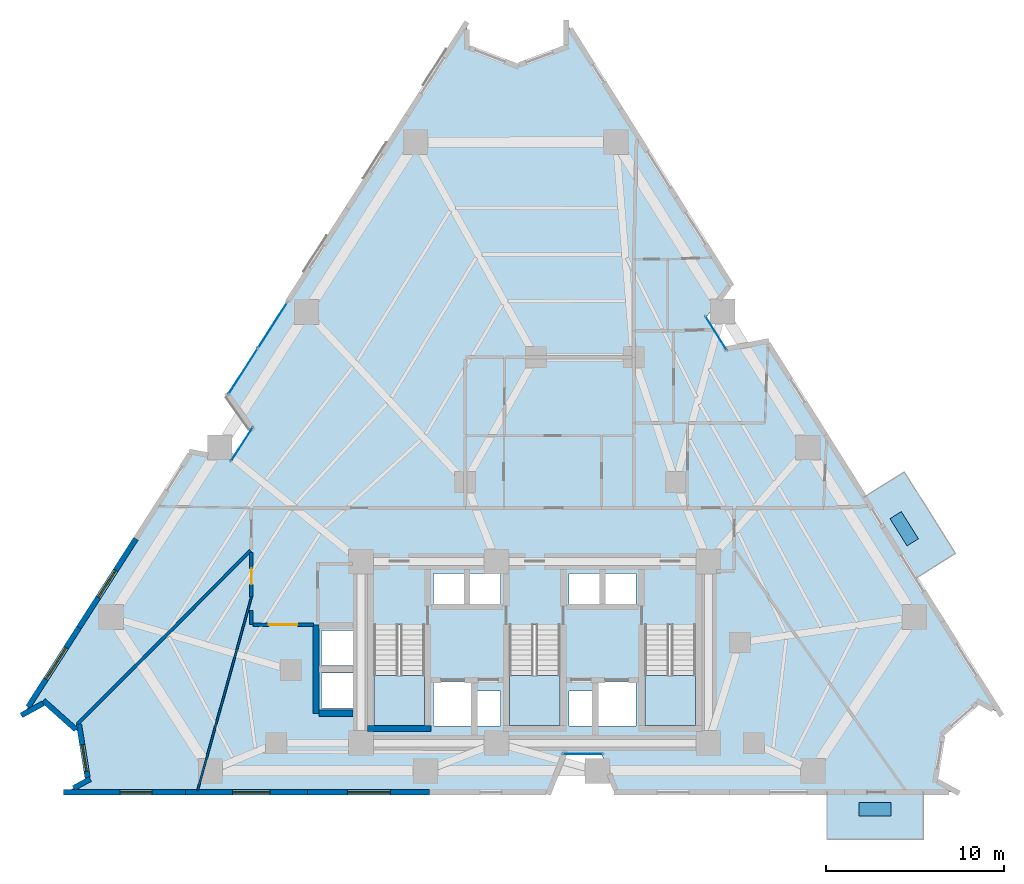
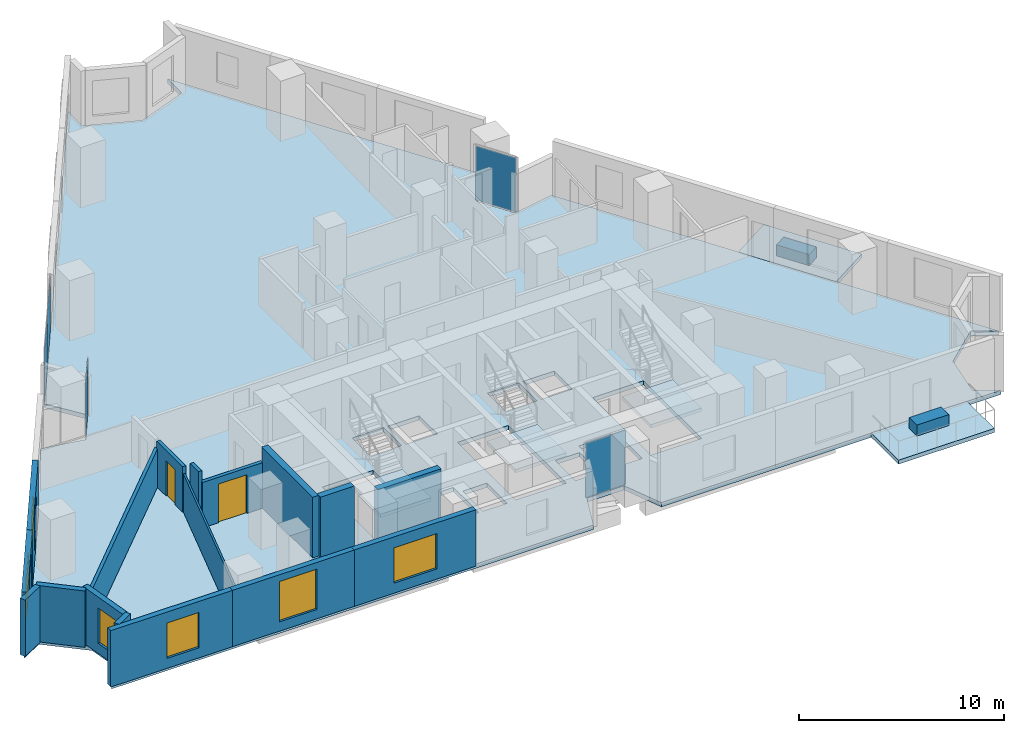
# One storey, part 6 of 13: 17 walls, 7 plates, 6 slabs, 6 windows, 2 doors, 8 openings, 7 elements without a shape of their own.
"""IFC4 building model written with IfcOpenShell, lengths in metres."""

from ifc_helpers import new_model, si_unit, direction, frame, frame_2d, origin, origin_2d, place, context, subcontext, project, spatial, polyline, rectangle, outline, extrude, material, layer, layer_set, type_object, element, fill, aggregate, save


model = new_model("IFC4")

# Units and contexts
model_context = context("Model", 3, precision=1e-05, world=origin(), true_north=direction((0.0, 1.0)))
body_context = subcontext(model_context, "Body", "Model", "MODEL_VIEW")
ifc_project = project(units=[si_unit("LENGTHUNIT", "METRE"), si_unit("AREAUNIT", "SQUARE_METRE"), si_unit("VOLUMEUNIT", "CUBIC_METRE"), si_unit("PLANEANGLEUNIT", "RADIAN"), si_unit("MASSUNIT", "GRAM", prefix="KILO")], contexts=[model_context])

# Site, building, storey
site_placement = place(None, origin())
site = spatial("IfcSite", under=ifc_project, at=site_placement, CompositionType="ELEMENT")
building_placement = place(site_placement, origin())
building = spatial("IfcBuilding", under=site, at=building_placement, Name="Almagre Mirador Tower", CompositionType="ELEMENT")
storey_placement = place(building_placement, frame((0.0, 0.0, 57.0)))
storey = spatial("IfcBuildingStorey", under=building, at=storey_placement, Name="L13", CompositionType="ELEMENT", Elevation=57.0)

# Curtain wall, plate
ifc_material_1 = material(Name="Black anodized aluminium", Category="aluminium")
ifc_layer_1 = layer(ifc_material_1, 0.169921875)
ifc_layer_set_1 = layer_set([ifc_layer_1], Name="Black anodized aluminium")
curtain_wall_type_1 = type_object("IfcCurtainWallType", Name="CW-CRS-SYS", PredefinedType="NOTDEFINED", material=ifc_layer_set_1)
curtain_wall_1_placement = place(storey_placement, origin())
curtain_wall_1 = element("IfcCurtainWall", 1, at=curtain_wall_1_placement, inside=storey, type_object=curtain_wall_type_1, Name="L13 vertical crease curtain wall 01", PredefinedType="NOTDEFINED")
ifc_material_2 = material(Name="Dark solar-control laminated hurricane glass", Category="glass")
ifc_layer_2 = layer(ifc_material_2, 0.028076171875)
ifc_layer_set_2 = layer_set([ifc_layer_2], Name="Dark solar-control laminated hurricane glass")
plate_type_1 = type_object("IfcPlateType", Name="PLT-GLZ-28", PredefinedType="CURTAIN_PANEL", material=ifc_layer_set_2)
plate_1_placement = place(storey_placement, frame((20.868896484375, 21.33251953125, 0.06005859375), z_axis=(0.0, 0.0, 1.0), x_axis=(0.539848636718, 0.841762109764, 0.0)))
plate_1 = element("IfcPlate", 2, at=plate_1_placement, type_object=plate_type_1, Name="CW-4 panel 1.1", PredefinedType="CURTAIN_PANEL", context=body_context, shape_type="SweptSolid", body=[
    extrude(rectangle(XDim=2.24951171875, YDim=0.028076171875, at=origin_2d()), origin(), (0.0, 0.0, 1.0), 3.22998046875),
])
aggregate(curtain_wall_1, [plate_1])

curtain_wall_2_placement = place(storey_placement, origin())
curtain_wall_2 = element("IfcCurtainWall", 3, at=curtain_wall_2_placement, inside=storey, type_object=curtain_wall_type_1, Name="L13 vertical crease curtain wall 03", PredefinedType="NOTDEFINED")
plate_2_placement = place(storey_placement, frame((47.47998046875, 27.56005859375, 0.06005859375), z_axis=(0.0, 0.0, 1.0), x_axis=(0.532007369615, -0.8467397231, 0.0)))
plate_2 = element("IfcPlate", 4, at=plate_2_placement, type_object=plate_type_1, Name="CW-4 panel 1.1", PredefinedType="CURTAIN_PANEL", context=body_context, shape_type="SweptSolid", body=[
    extrude(rectangle(XDim=2.250244140625, YDim=0.028076171875, at=origin_2d()), origin(), (0.0, 0.0, 1.0), 3.22998046875),
])
aggregate(curtain_wall_2, [plate_2])

curtain_wall_3_placement = place(storey_placement, origin())
curtain_wall_3 = element("IfcCurtainWall", 5, at=curtain_wall_3_placement, inside=storey, type_object=curtain_wall_type_1, Name="L13 vertical crease curtain wall 04", PredefinedType="NOTDEFINED")
plate_3_placement = place(storey_placement, frame((40.0, 3.949951171875, 0.06005859375), z_axis=(0.0, 0.0, 1.0), x_axis=(-1.0, 0.0, 0.0)))
plate_3 = element("IfcPlate", 6, at=plate_3_placement, type_object=plate_type_1, Name="CW-4 panel 1.1", PredefinedType="CURTAIN_PANEL", context=body_context, shape_type="SweptSolid", body=[
    extrude(rectangle(XDim=2.25, YDim=0.028076171875, at=origin_2d()), origin(), (0.0, 0.0, 1.0), 3.22998046875),
])
aggregate(curtain_wall_3, [plate_3])

# Curtain wall, plates
ifc_material_3 = material(Name="Black anodized aluminium", Category="aluminium")
ifc_layer_3 = layer(ifc_material_3, 0.18994140625)
ifc_layer_set_3 = layer_set([ifc_layer_3], Name="Black anodized aluminium")
curtain_wall_type_2 = type_object("IfcCurtainWallType", Name="CW-RES-L-SYS", PredefinedType="NOTDEFINED", material=ifc_layer_set_3)
curtain_wall_4_placement = place(storey_placement, origin())
curtain_wall_4 = element("IfcCurtainWall", 7, at=curtain_wall_4_placement, inside=storey, type_object=curtain_wall_type_2, Name="L13 curtain wall run 02", PredefinedType="NOTDEFINED")
ifc_material_4 = material(Name="Dark solar-control laminated hurricane glass", Category="glass")
ifc_layer_4 = layer(ifc_material_4, 0.031982421875)
ifc_layer_set_4 = layer_set([ifc_layer_4], Name="Dark solar-control laminated hurricane glass")
plate_type_2 = type_object("IfcPlateType", Name="PLT-GLZ-32", PredefinedType="CURTAIN_PANEL", material=ifc_layer_set_4)
plate_4_placement = place(storey_placement, frame((20.930908203125, 25.413818359375, 0.06005859375), z_axis=(0.0, 0.0, 1.0), x_axis=(0.539498830732, 0.841986348843, 0.0)))
plate_4 = element("IfcPlate", 8, at=plate_4_placement, type_object=plate_type_2, Name="CW-2 panel 1.1", PredefinedType="CURTAIN_PANEL", context=body_context, shape_type="SweptSolid", body=[
    extrude(rectangle(XDim=3.009765625, YDim=0.031982421875, at=origin_2d()), origin(), (0.0, 0.0, 1.0), 3.22998046875),
])
plate_5_placement = place(storey_placement, frame((22.58984375, 28.002685546875, 0.06005859375), z_axis=(0.0, 0.0, 1.0), x_axis=(0.539498830732, 0.841986348843, 0.0)))
plate_5 = element("IfcPlate", 9, at=plate_5_placement, type_object=plate_type_2, Name="CW-2 panel 2.1", PredefinedType="CURTAIN_PANEL", context=body_context, shape_type="SweptSolid", body=[
    extrude(rectangle(XDim=3.009765625, YDim=0.031982421875, at=origin_2d()), origin(), (0.0, 0.0, 1.0), 3.22998046875),
])
aggregate(curtain_wall_4, [plate_4, plate_5])

# Plates
ifc_material_5 = material(Name="Precast concrete C50/60", Category="concrete")
ifc_layer_5 = layer(ifc_material_5, 0.64990234375)
ifc_layer_set_5 = layer_set([ifc_layer_5], Name="Precast concrete C50/60")
plate_type_3 = type_object("IfcPlateType", Name="PLT-PLANTER-1800", PredefinedType="USERDEFINED", material=ifc_layer_set_5)
for number, where, z_axis, x_axis, name in (
    (10, (56.39990234375, 0.85009765625, 0.0), (0.0, 0.0, 1.0), (1.0, 0.0, 0.0), "L13 south balcony structural tree planter 1"),
    (11, (58.033935546875, 16.5849609375, 0.0), (0.0, 0.0, 1.0), (-0.531915957673, 0.846797150428, 0.0), "L13 east balcony structural tree planter 2"),
):
    element("IfcPlate", number, at=place(storey_placement, frame(where, z_axis=z_axis, x_axis=x_axis)), inside=storey, type_object=plate_type_3, Name=name, ObjectType="PLANTER", PredefinedType="USERDEFINED", context=body_context, shape_type="SweptSolid", body=[
        extrude(rectangle(XDim=1.800048828125, YDim=0.75, at=origin_2d()), origin(), (0.0, 0.0, 1.0), 0.64990234375),
    ])

# Slabs
ifc_material_6 = material(Name="Concrete C45/55", Category="concrete")
ifc_layer_6 = layer(ifc_material_6, 0.239990234375)
ifc_layer_set_6 = layer_set([ifc_layer_6], Name="Concrete C45/55")
slab_type_1 = type_object("IfcSlabType", Name="SLB-BAL-240", PredefinedType="USERDEFINED", material=ifc_layer_set_6)
slab_1_placement = place(storey_placement, frame((0.0, 0.0, -0.239990234375)))
element("IfcSlab", 12, at=slab_1_placement, inside=storey, type_object=slab_type_1, Name="L13 south planted tree balcony 1", ObjectType="BALCONY", PredefinedType="USERDEFINED", context=body_context, shape_type="SweptSolid", body=[
    extrude(outline(polyline([(53.699951171875, 1.820068359375), (59.10009765625, 1.820068359375), (59.10009765625, -0.85009765625), (53.699951171875, -0.85009765625), (53.699951171875, 1.820068359375)])), origin(), (0.0, 0.0, 1.0), 0.239990234375),
])
slab_2_placement = place(storey_placement, frame((0.0, 0.0, -0.239990234375)))
element("IfcSlab", 13, at=slab_2_placement, inside=storey, type_object=slab_type_1, Name="L13 east planted tree balcony 2", ObjectType="BALCONY", PredefinedType="USERDEFINED", context=body_context, shape_type="SweptSolid", body=[
    extrude(outline(polyline([(58.64892578125, 13.782958984375), (55.777099609375, 18.35498046875), (58.0380859375, 19.77587890625), (60.909912109375, 15.202880859375), (58.64892578125, 13.782958984375)])), origin(), (0.0, 0.0, 1.0), 0.239990234375),
])
ifc_material_7 = material(Name="Concrete C45/55", Category="concrete")
ifc_layer_7 = layer(ifc_material_7, 0.25)
ifc_layer_set_7 = layer_set([ifc_layer_7], Name="Concrete C45/55")
slab_type_2 = type_object("IfcSlabType", Name="SLB-FLR-250", PredefinedType="FLOOR", material=ifc_layer_set_7)
slab_3_placement = place(storey_placement, frame((0.0, 0.0, -0.25)))
element("IfcSlab", 14, at=slab_3_placement, inside=storey, type_object=slab_type_2, Name="L13 structural floor slab", PredefinedType="FLOOR", context=body_context, shape_type="SweptSolid", body=[
    extrude(outline(polyline([(8.60498046875, 6.177978515625), (9.8291015625, 6.847900390625), (11.804931640625, 5.083984375), (12.22412109375, 2.468994140625), (11.0, 1.800048828125), (38.10009765625, 1.800048828125), (38.955078125, 3.949951171875), (41.044921875, 3.949951171875), (41.89990234375, 1.800048828125), (61.0, 1.800048828125), (59.779052734375, 2.47509765625), (60.2099609375, 5.111083984375), (62.212890625, 6.8779296875), (63.43408203125, 6.202880859375), (50.31103515625, 27.094970703125), (48.035888671875, 26.675048828125), (46.924072265625, 28.445068359375), (48.2900390625, 30.31201171875), (39.06591796875, 44.9970703125), (39.06005859375, 43.60205078125), (36.26904296875, 42.555908203125), (33.488037109375, 43.626953125), (33.4951171875, 45.02197265625), (20.083984375, 24.092041015625), (21.43310546875, 22.2119140625), (20.304931640625, 20.452880859375), (18.033935546875, 20.89306640625), (8.60498046875, 6.177978515625)]), holes=[polyline([(43.47509765625, 11.196044921875), (46.324951171875, 11.196044921875), (46.324951171875, 5.550048828125), (43.47509765625, 5.550048828125), (43.47509765625, 11.196044921875)]), polyline([(40.820068359375, 5.52001953125), (40.820068359375, 7.97998046875), (42.97998046875, 7.97998046875), (42.97998046875, 5.52001953125), (40.820068359375, 5.52001953125)]), polyline([(41.219970703125, 12.320068359375), (41.219970703125, 14.080078125), (42.97998046875, 14.080078125), (42.97998046875, 12.320068359375), (41.219970703125, 12.320068359375)]), polyline([(39.219970703125, 12.320068359375), (39.219970703125, 14.080078125), (40.97998046875, 14.080078125), (40.97998046875, 12.320068359375), (39.219970703125, 12.320068359375)]), polyline([(39.219970703125, 5.52001953125), (39.219970703125, 7.47998046875), (40.580078125, 7.47998046875), (40.580078125, 5.52001953125), (39.219970703125, 5.52001953125)]), polyline([(35.875, 11.196044921875), (38.72509765625, 11.196044921875), (38.72509765625, 5.550048828125), (35.875, 5.550048828125), (35.875, 11.196044921875)]), polyline([(35.3798828125, 5.52001953125), (34.02001953125, 5.52001953125), (34.02001953125, 7.47998046875), (35.3798828125, 7.47998046875), (35.3798828125, 5.52001953125)]), polyline([(35.3798828125, 12.320068359375), (33.6201171875, 12.320068359375), (33.6201171875, 14.080078125), (35.3798828125, 14.080078125), (35.3798828125, 12.320068359375)]), polyline([(31.6201171875, 5.52001953125), (31.6201171875, 7.97998046875), (33.780029296875, 7.97998046875), (33.780029296875, 5.52001953125), (31.6201171875, 5.52001953125)]), polyline([(31.6201171875, 12.320068359375), (31.6201171875, 14.080078125), (33.3798828125, 14.080078125), (33.3798828125, 12.320068359375), (31.6201171875, 12.320068359375)]), polyline([(28.27490234375, 5.550048828125), (28.27490234375, 11.196044921875), (31.125, 11.196044921875), (31.125, 5.550048828125), (28.27490234375, 5.550048828125)]), polyline([(25.320068359375, 6.52001953125), (25.320068359375, 8.47998046875), (27.3798828125, 8.47998046875), (27.3798828125, 6.52001953125), (25.320068359375, 6.52001953125)]), polyline([(25.320068359375, 8.919921875), (25.320068359375, 10.8798828125), (27.3798828125, 10.8798828125), (27.3798828125, 8.919921875), (25.320068359375, 8.919921875)])]), origin(), (0.0, 0.0, 1.0), 0.25),
])

# Stair, slab
ifc_material_8 = material(Name="Concrete C45/55", Category="concrete")
stair_type = type_object("IfcStairType", Name="STR-DL-3600", PredefinedType="HALF_TURN_STAIR", material=ifc_material_8)
stair_1_placement = place(storey_placement, origin())
stair_1 = element("IfcStair", 15, at=stair_1_placement, inside=storey, type_object=stair_type, Name="L13 Protected exit stair ST-1", PredefinedType="HALF_TURN_STAIR")
ifc_material_9 = material(Name="Concrete C45/55", Category="concrete")
ifc_layer_8 = layer(ifc_material_9, 0.199951171875)
ifc_layer_set_8 = layer_set([ifc_layer_8], Name="Concrete C45/55")
slab_type_3 = type_object("IfcSlabType", Name="SLB-LND-200", PredefinedType="LANDING", material=ifc_layer_set_8)
slab_4_placement = place(storey_placement, frame((0.0, 0.0, 1.60009765625)))
slab_4 = element("IfcSlab", 16, at=slab_4_placement, type_object=slab_type_3, Name="ST-1 landing 1", PredefinedType="LANDING", context=body_context, shape_type="SweptSolid", body=[
    extrude(outline(polyline([(28.27490234375, 8.35009765625), (28.27490234375, 5.550048828125), (31.125, 5.550048828125), (31.125, 8.35009765625), (28.27490234375, 8.35009765625)])), origin(), (0.0, 0.0, 1.0), 0.199951171875),
])
aggregate(stair_1, [slab_4])

stair_2_placement = place(storey_placement, origin())
stair_2 = element("IfcStair", 17, at=stair_2_placement, inside=storey, type_object=stair_type, Name="L13 Protected exit stair ST-2", PredefinedType="HALF_TURN_STAIR")
slab_5_placement = place(storey_placement, frame((0.0, 0.0, 1.60009765625)))
slab_5 = element("IfcSlab", 18, at=slab_5_placement, type_object=slab_type_3, Name="ST-2 landing 1", PredefinedType="LANDING", context=body_context, shape_type="SweptSolid", body=[
    extrude(outline(polyline([(35.875, 8.35009765625), (35.875, 5.550048828125), (38.72509765625, 5.550048828125), (38.72509765625, 8.35009765625), (35.875, 8.35009765625)])), origin(), (0.0, 0.0, 1.0), 0.199951171875),
])
aggregate(stair_2, [slab_5])

stair_3_placement = place(storey_placement, origin())
stair_3 = element("IfcStair", 19, at=stair_3_placement, inside=storey, type_object=stair_type, Name="L13 Protected exit stair ST-3", PredefinedType="HALF_TURN_STAIR")
slab_6_placement = place(storey_placement, frame((0.0, 0.0, 1.60009765625)))
slab_6 = element("IfcSlab", 20, at=slab_6_placement, type_object=slab_type_3, Name="ST-3 landing 1", PredefinedType="LANDING", context=body_context, shape_type="SweptSolid", body=[
    extrude(outline(polyline([(43.47509765625, 8.35009765625), (43.47509765625, 5.550048828125), (46.324951171875, 5.550048828125), (46.324951171875, 8.35009765625), (43.47509765625, 8.35009765625)])), origin(), (0.0, 0.0, 1.0), 0.199951171875),
])
aggregate(stair_3, [slab_6])

# Wall, opening, window
ifc_material_10 = material(Name="Precast concrete C50/60", Category="concrete")
ifc_layer_9 = layer(ifc_material_10, 0.300048828125)
ifc_layer_set_9 = layer_set([ifc_layer_9], Name="Precast concrete C50/60")
wall_type_1 = type_object("IfcWallType", Name="WAL-EXT-300", PredefinedType="SOLIDWALL", material=ifc_layer_set_9)
wall_1_placement = place(storey_placement, frame((31.39501953125, 1.800048828125, 0.0), z_axis=(0.0, 0.0, 1.0), x_axis=(-1.0, 0.0, 0.0)))
wall_1 = element("IfcWall", 21, at=wall_1_placement, inside=storey, type_object=wall_type_1, Name="L13 expressed almagre precast frame wall 29", PredefinedType="SOLIDWALL", context=body_context, shape_type="SweptSolid", body=[
    extrude(rectangle(XDim=6.844970703125, YDim=0.300048828125, at=frame_2d((3.42236328125, 0.0))), origin(), (0.0, 0.0, 1.0), 3.35009765625),
])
opening_1_placement = place(wall_1_placement, frame((2.199951171875, 0.0, 0.60009765625)))
opening_1 = element("IfcOpeningElement", 22, at=opening_1_placement, cuts=wall_1, Name="Opening WN-02", PredefinedType="OPENING", context=body_context, shape_type="SweptSolid", body=[
    extrude(rectangle(XDim=2.39990234375, YDim=2.10009765625, at=frame_2d((1.199951171875, 1.050048828125))), frame((0.0, 0.159902, 0.0), z_axis=(0.0, -1.0, 0.0), x_axis=(1.0, 0.0, 0.0)), (0.0, 0.0, 1.0), 0.320049),
])
ifc_material_11 = material(Name="Dark solar-control laminated hurricane glass", Category="glass")
window_type_1 = type_object("IfcWindowType", Name="WIN-2400X2100", PartitioningType="TRIPLE_PANEL_VERTICAL", PredefinedType="WINDOW", material=ifc_material_11)
window_1_placement = place(opening_1_placement, origin())
window_1 = element("IfcWindow", 23, at=window_1_placement, inside=storey, type_object=window_type_1, Name="L13 recessed hurricane window L13-RST-B", OverallHeight=2.10009765625, OverallWidth=2.39990234375, PartitioningType="SINGLE_PANEL", PredefinedType="WINDOW", context=body_context, shape_type="SweptSolid", body=[
    extrude(rectangle(XDim=2.39990234375, YDim=2.10009765625, at=frame_2d((1.199951171875, 1.050048828125))), frame((0.0, 0.030029296875, 0.0), z_axis=(0.0, -1.0, 0.0), x_axis=(1.0, 0.0, 0.0)), (0.0, 0.0, 1.0), 0.06005859375),
])
fill(opening_1, window_1)

wall_2_placement = place(storey_placement, frame((24.550048828125, 1.800048828125, 0.0), z_axis=(0.0, 0.0, 1.0), x_axis=(-1.0, 0.0, 0.0)))
wall_2 = element("IfcWall", 24, at=wall_2_placement, inside=storey, type_object=wall_type_1, Name="L13 expressed almagre precast frame wall 30", PredefinedType="SOLIDWALL", context=body_context, shape_type="SweptSolid", body=[
    extrude(rectangle(XDim=6.844970703125, YDim=0.300048828125, at=frame_2d((3.42236328125, 0.0))), origin(), (0.0, 0.0, 1.0), 3.35009765625),
])
opening_2_placement = place(wall_2_placement, frame((2.10009765625, 0.0, 0.550048828125)))
opening_2 = element("IfcOpeningElement", 25, at=opening_2_placement, cuts=wall_2, Name="Opening WN-05", PredefinedType="OPENING", context=body_context, shape_type="SweptSolid", body=[
    extrude(rectangle(XDim=2.10009765625, YDim=2.39990234375, at=frame_2d((1.050048828125, 1.199951171875))), frame((0.0, 0.159902, 0.0), z_axis=(0.0, -1.0, 0.0), x_axis=(1.0, 0.0, 0.0)), (0.0, 0.0, 1.0), 0.320049),
])
ifc_material_12 = material(Name="Dark solar-control laminated hurricane glass", Category="glass")
window_type_2 = type_object("IfcWindowType", Name="WIN-2100X2400", PartitioningType="DOUBLE_PANEL_VERTICAL", PredefinedType="WINDOW", material=ifc_material_12)
window_2_placement = place(opening_2_placement, origin())
window_2 = element("IfcWindow", 26, at=window_2_placement, inside=storey, type_object=window_type_2, Name="L13 recessed hurricane window L13-RST-B", OverallHeight=2.39990234375, OverallWidth=2.10009765625, PartitioningType="SINGLE_PANEL", PredefinedType="WINDOW", context=body_context, shape_type="SweptSolid", body=[
    extrude(rectangle(XDim=2.10009765625, YDim=2.39990234375, at=frame_2d((1.050048828125, 1.199951171875))), frame((0.0, 0.030029296875, 0.0), z_axis=(0.0, -1.0, 0.0), x_axis=(1.0, 0.0, 0.0)), (0.0, 0.0, 1.0), 0.06005859375),
])
fill(opening_2, window_2)

wall_3_placement = place(storey_placement, frame((17.705078125, 1.800048828125, 0.0), z_axis=(0.0, 0.0, 1.0), x_axis=(-1.0, 0.0, 0.0)))
wall_3 = element("IfcWall", 27, at=wall_3_placement, inside=storey, type_object=wall_type_1, Name="L13 expressed almagre precast frame wall 31", PredefinedType="SOLIDWALL", context=body_context, shape_type="SweptSolid", body=[
    extrude(rectangle(XDim=6.844970703125, YDim=0.300048828125, at=frame_2d((3.42236328125, 0.0))), origin(), (0.0, 0.0, 1.0), 3.35009765625),
])
opening_3_placement = place(wall_3_placement, frame((1.875, 0.0, 0.60009765625)))
opening_3 = element("IfcOpeningElement", 28, at=opening_3_placement, cuts=wall_3, Name="Opening WN-01", PredefinedType="OPENING", context=body_context, shape_type="SweptSolid", body=[
    extrude(rectangle(XDim=1.800048828125, YDim=2.10009765625, at=frame_2d((0.89990234375, 1.050048828125))), frame((0.0, 0.159902, 0.0), z_axis=(0.0, -1.0, 0.0), x_axis=(1.0, 0.0, 0.0)), (0.0, 0.0, 1.0), 0.320049),
])
ifc_material_13 = material(Name="Dark solar-control laminated hurricane glass", Category="glass")
window_type_3 = type_object("IfcWindowType", Name="WIN-1800X2100", PartitioningType="DOUBLE_PANEL_VERTICAL", PredefinedType="WINDOW", material=ifc_material_13)
window_3_placement = place(opening_3_placement, origin())
window_3 = element("IfcWindow", 29, at=window_3_placement, inside=storey, type_object=window_type_3, Name="L13 recessed hurricane window L13-RST-A", OverallHeight=2.10009765625, OverallWidth=1.800048828125, PartitioningType="SINGLE_PANEL", PredefinedType="WINDOW", context=body_context, shape_type="SweptSolid", body=[
    extrude(rectangle(XDim=1.800048828125, YDim=2.10009765625, at=frame_2d((0.89990234375, 1.050048828125))), frame((0.0, 0.030029296875, 0.0), z_axis=(0.0, -1.0, 0.0), x_axis=(1.0, 0.0, 0.0)), (0.0, 0.0, 1.0), 0.06005859375),
])
fill(opening_3, window_3)

# Wall
wall_4_placement = place(storey_placement, frame((11.421142578125, 2.0302734375, 0.0), z_axis=(0.0, 0.0, 1.0), x_axis=(0.877488347229, 0.479597957124, 0.0)))
element("IfcWall", 30, at=wall_4_placement, inside=storey, type_object=wall_type_1, Name="L13 expressed almagre precast frame wall 32", PredefinedType="SOLIDWALL", context=body_context, shape_type="SweptSolid", body=[
    extrude(rectangle(XDim=1.0546875, YDim=0.300048828125, at=frame_2d((0.52734375, 0.0))), origin(), (0.0, 0.0, 1.0), 3.35009765625),
])

# Wall, opening, window
wall_5_placement = place(storey_placement, frame((12.20263671875, 2.602294921875, 0.0), z_axis=(0.0, 0.0, 1.0), x_axis=(-0.158180850876, 0.987410157136, 0.0)))
wall_5 = element("IfcWall", 31, at=wall_5_placement, inside=storey, type_object=wall_type_1, Name="L13 expressed almagre precast frame wall 33", PredefinedType="SOLIDWALL", context=body_context, shape_type="SweptSolid", body=[
    extrude(rectangle(XDim=3.05126953125, YDim=0.300048828125, at=frame_2d((1.525634765625, 0.0))), origin(), (0.0, 0.0, 1.0), 3.35009765625),
])
opening_4_placement = place(wall_5_placement, frame((0.375, 0.0, 0.60009765625)))
opening_4 = element("IfcOpeningElement", 32, at=opening_4_placement, cuts=wall_5, Name="Opening WN-03", PredefinedType="OPENING", context=body_context, shape_type="SweptSolid", body=[
    extrude(rectangle(XDim=1.5, YDim=2.10009765625, at=frame_2d((0.75, 1.050048828125))), frame((0.0, 0.159902, 0.0), z_axis=(0.0, -1.0, 0.0), x_axis=(1.0, 0.0, 0.0)), (0.0, 0.0, 1.0), 0.320049),
])
ifc_material_14 = material(Name="Dark solar-control laminated hurricane glass", Category="glass")
window_type_4 = type_object("IfcWindowType", Name="WIN-1500X2100", PartitioningType="DOUBLE_PANEL_VERTICAL", PredefinedType="WINDOW", material=ifc_material_14)
window_4_placement = place(opening_4_placement, origin())
window_4 = element("IfcWindow", 33, at=window_4_placement, inside=storey, type_object=window_type_4, Name="L13 recessed hurricane window L13-RST-A", OverallHeight=2.10009765625, OverallWidth=1.5, PartitioningType="SINGLE_PANEL", PredefinedType="WINDOW", context=body_context, shape_type="SweptSolid", body=[
    extrude(rectangle(XDim=1.5, YDim=2.10009765625, at=frame_2d((0.75, 1.050048828125))), frame((0.0, 0.030029296875, 0.0), z_axis=(0.0, -1.0, 0.0), x_axis=(1.0, 0.0, 0.0)), (0.0, 0.0, 1.0), 0.06005859375),
])
fill(opening_4, window_4)

# Walls
wall_6_placement = place(storey_placement, frame((11.55517578125, 5.30712890625, 0.0), z_axis=(0.0, 0.0, 1.0), x_axis=(-0.746018862661, 0.665924812989, 0.0)))
element("IfcWall", 34, at=wall_6_placement, inside=storey, type_object=wall_type_1, Name="L13 expressed almagre precast frame wall 34", PredefinedType="SOLIDWALL", context=body_context, shape_type="SweptSolid", body=[
    extrude(rectangle(XDim=2.453857421875, YDim=0.300048828125, at=frame_2d((1.22705078125, 0.0))), origin(), (0.0, 0.0, 1.0), 3.35009765625),
])
wall_7_placement = place(storey_placement, frame((9.710693359375, 6.783203125, 0.0), z_axis=(0.0, 0.0, 1.0), x_axis=(-0.877215145436, -0.480097478245, 0.0)))
element("IfcWall", 35, at=wall_7_placement, inside=storey, type_object=wall_type_1, Name="L13 expressed almagre precast frame wall 35", PredefinedType="SOLIDWALL", context=body_context, shape_type="SweptSolid", body=[
    extrude(rectangle(XDim=1.400390625, YDim=0.300048828125, at=frame_2d((0.7001953125, 0.0))), origin(), (0.0, 0.0, 1.0), 3.35009765625),
])

# Wall, opening, window
wall_8_placement = place(storey_placement, frame((8.86669921875, 6.586181640625, 0.0), z_axis=(0.0, 0.0, 1.0), x_axis=(0.539507708659, 0.841980660287, 0.0)))
wall_8 = element("IfcWall", 36, at=wall_8_placement, inside=storey, type_object=wall_type_1, Name="L13 expressed almagre precast frame wall 36", PredefinedType="SOLIDWALL", context=body_context, shape_type="SweptSolid", body=[
    extrude(rectangle(XDim=5.294189453125, YDim=0.300048828125, at=frame_2d((2.64697265625, 0.0))), origin(), (0.0, 0.0, 1.0), 3.35009765625),
])
opening_5_placement = place(wall_8_placement, frame((1.85009765625, 0.0, 0.550048828125)))
opening_5 = element("IfcOpeningElement", 37, at=opening_5_placement, cuts=wall_8, Name="Opening WN-05", PredefinedType="OPENING", context=body_context, shape_type="SweptSolid", body=[
    extrude(rectangle(XDim=2.10009765625, YDim=2.39990234375, at=frame_2d((1.050048828125, 1.199951171875))), frame((0.0, 0.159902, 0.0), z_axis=(0.0, -1.0, 0.0), x_axis=(1.0, 0.0, 0.0)), (0.0, 0.0, 1.0), 0.320049),
])
window_5_placement = place(opening_5_placement, origin())
window_5 = element("IfcWindow", 38, at=window_5_placement, inside=storey, type_object=window_type_2, Name="L13 recessed hurricane window L13-RST-D", OverallHeight=2.39990234375, OverallWidth=2.10009765625, PartitioningType="SINGLE_PANEL", PredefinedType="WINDOW", context=body_context, shape_type="SweptSolid", body=[
    extrude(rectangle(XDim=2.10009765625, YDim=2.39990234375, at=frame_2d((1.050048828125, 1.199951171875))), frame((0.0, 0.030029296875, 0.0), z_axis=(0.0, -1.0, 0.0), x_axis=(1.0, 0.0, 0.0)), (0.0, 0.0, 1.0), 0.06005859375),
])
fill(opening_5, window_5)

wall_9_placement = place(storey_placement, frame((11.722900390625, 11.043701171875, 0.0), z_axis=(0.0, 0.0, 1.0), x_axis=(0.539512438074, 0.841977629847, 0.0)))
wall_9 = element("IfcWall", 39, at=wall_9_placement, inside=storey, type_object=wall_type_1, Name="L13 expressed almagre precast frame wall 37", PredefinedType="SOLIDWALL", context=body_context, shape_type="SweptSolid", body=[
    extrude(rectangle(XDim=5.9189453125, YDim=0.300048828125, at=frame_2d((2.95947265625, 0.0))), origin(), (0.0, 0.0, 1.0), 3.35009765625),
])
opening_6_placement = place(wall_9_placement, frame((2.0, 0.0, 0.60009765625)))
opening_6 = element("IfcOpeningElement", 40, at=opening_6_placement, cuts=wall_9, Name="Opening WN-01", PredefinedType="OPENING", context=body_context, shape_type="SweptSolid", body=[
    extrude(rectangle(XDim=1.800048828125, YDim=2.10009765625, at=frame_2d((0.89990234375, 1.050048828125))), frame((0.0, 0.159902, 0.0), z_axis=(0.0, -1.0, 0.0), x_axis=(1.0, 0.0, 0.0)), (0.0, 0.0, 1.0), 0.320049),
])
window_6_placement = place(opening_6_placement, origin())
window_6 = element("IfcWindow", 41, at=window_6_placement, inside=storey, type_object=window_type_3, Name="L13 recessed hurricane window L13-RST-D", OverallHeight=2.10009765625, OverallWidth=1.800048828125, PartitioningType="SINGLE_PANEL", PredefinedType="WINDOW", context=body_context, shape_type="SweptSolid", body=[
    extrude(rectangle(XDim=1.800048828125, YDim=2.10009765625, at=frame_2d((0.89990234375, 1.050048828125))), frame((0.0, 0.030029296875, 0.0), z_axis=(0.0, -1.0, 0.0), x_axis=(1.0, 0.0, 0.0)), (0.0, 0.0, 1.0), 0.06005859375),
])
fill(opening_6, window_6)

# Walls
ifc_material_15 = material(Name="Gypsum acoustic stud partition", Category="other")
ifc_layer_10 = layer(ifc_material_15, 0.10009765625)
ifc_layer_set_10 = layer_set([ifc_layer_10], Name="Gypsum acoustic stud partition")
wall_type_2 = type_object("IfcWallType", Name="WAL-PRT-100-CLS", PredefinedType="PARTITIONING", material=ifc_layer_set_10)
wall_10_placement = place(storey_placement, frame((18.3759765625, 1.89501953125, 0.0), z_axis=(0.0, 0.0, 1.0), x_axis=(0.268356724251, 0.963319608723, 0.0)))
element("IfcWall", 42, at=wall_10_placement, inside=storey, type_object=wall_type_2, Name="L13 interior partition 014", PredefinedType="PARTITIONING", context=body_context, shape_type="SweptSolid", body=[
    extrude(rectangle(XDim=11.268310546875, YDim=0.10009765625, at=frame_2d((5.63427734375, 0.0))), origin(), (0.0, 0.0, 1.0), 2.279052734375),
])
ifc_material_16 = material(Name="Gypsum acoustic stud partition", Category="other")
ifc_layer_11 = layer(ifc_material_16, 0.175048828125)
ifc_layer_set_11 = layer_set([ifc_layer_11], Name="Gypsum acoustic stud partition")
wall_type_3 = type_object("IfcWallType", Name="WAL-PRT-175-AC", PredefinedType="PARTITIONING", material=ifc_layer_set_11)
wall_11_placement = place(storey_placement, frame((21.33984375, 15.349853515625, 0.0), z_axis=(0.0, 0.0, 1.0), x_axis=(-0.706085099818, -0.708126988481, 0.0)))
element("IfcWall", 43, at=wall_11_placement, inside=storey, type_object=wall_type_3, Name="L13 interior partition 015", PredefinedType="PARTITIONING", context=body_context, shape_type="SweptSolid", body=[
    extrude(rectangle(XDim=13.75, YDim=0.175048828125, at=frame_2d((6.875, 0.0))), origin(), (0.0, 0.0, 1.0), 2.279052734375),
])

# Wall, opening, door
ifc_material_17 = material(Name="Gypsum acoustic stud partition", Category="other")
ifc_layer_12 = layer(ifc_material_17, 0.199951171875)
ifc_layer_set_12 = layer_set([ifc_layer_12], Name="Gypsum acoustic stud partition")
wall_type_4 = type_object("IfcWallType", Name="WAL-PRT-200-EI60", PredefinedType="PARTITIONING", material=ifc_layer_set_12)
wall_12_placement = place(storey_placement, frame((21.39990234375, 15.2548828125, 0.0), z_axis=(0.0, 0.0, 1.0), x_axis=(0.0, -1.0, 0.0)))
wall_12 = element("IfcWall", 44, at=wall_12_placement, inside=storey, type_object=wall_type_4, Name="L13 interior partition 001", PredefinedType="PARTITIONING", context=body_context, shape_type="SweptSolid", body=[
    extrude(rectangle(XDim=2.5048828125, YDim=0.199951171875, at=frame_2d((1.25244140625, 0.0))), origin(), (0.0, 0.0, 1.0), 2.708984375),
])
opening_7_placement = place(wall_12_placement, frame((0.895751953125, 0.0, 0.0)))
opening_7 = element("IfcOpeningElement", 45, at=opening_7_placement, cuts=wall_12, Name="Opening ID-03", PredefinedType="OPENING", context=body_context, shape_type="SweptSolid", body=[
    extrude(rectangle(XDim=0.89990234375, YDim=2.10009765625, at=frame_2d((0.449951171875, 1.050048828125))), frame((0.0, 0.110098, 0.0), z_axis=(0.0, -1.0, 0.0), x_axis=(1.0, 0.0, 0.0)), (0.0, 0.0, 1.0), 0.219951),
])
ifc_material_18 = material(Name="Fire-rated hollow steel", Category="steel")
door_type_1 = type_object("IfcDoorType", Name="DOR-FD60-900X2100", OperationType="NOTDEFINED", PredefinedType="DOOR", material=ifc_material_18)
door_1_placement = place(opening_7_placement, origin())
door_1 = element("IfcDoor", 46, at=door_1_placement, inside=storey, type_object=door_type_1, Name="DR-0427 L13 interior door L13-RCOR to L13-RST-A", OperationType="SINGLE_SWING_RIGHT", OverallHeight=2.10009765625, OverallWidth=0.89990234375, PredefinedType="DOOR", context=body_context, shape_type="SweptSolid", body=[
    extrude(rectangle(XDim=0.89990234375, YDim=2.10009765625, at=frame_2d((0.449951171875, 1.050048828125))), frame((0.0, 0.02490234375, 0.0), z_axis=(0.0, -1.0, 0.0), x_axis=(1.0, 0.0, 0.0)), (0.0, 0.0, 1.0), 0.050048828125),
])
fill(opening_7, door_1)

# Wall
wall_13_placement = place(storey_placement, frame((21.39990234375, 12.005615234375, 0.0), z_axis=(0.0, 0.0, 1.0), x_axis=(0.0, -1.0, 0.0)))
element("IfcWall", 47, at=wall_13_placement, inside=storey, type_object=wall_type_4, Name="L13 interior partition 002", PredefinedType="PARTITIONING", context=body_context, shape_type="SweptSolid", body=[
    extrude(rectangle(XDim=0.8056640625, YDim=0.199951171875, at=frame_2d((0.40283203125, 0.0))), origin(), (0.0, 0.0, 1.0), 3.35009765625),
])

# Wall, opening, door
wall_14_placement = place(storey_placement, frame((21.485107421875, 11.199951171875, 0.0), z_axis=(0.0, 0.0, 1.0), x_axis=(1.0, 0.0, 0.0)))
wall_14 = element("IfcWall", 48, at=wall_14_placement, inside=storey, type_object=wall_type_4, Name="L13 interior partition 003", PredefinedType="PARTITIONING", context=body_context, shape_type="SweptSolid", body=[
    extrude(rectangle(XDim=3.384033203125, YDim=0.199951171875, at=frame_2d((1.69189453125, 0.0))), origin(), (0.0, 0.0, 1.0), 2.708984375),
])
opening_8_placement = place(wall_14_placement, frame((0.889892578125, 0.0, 0.0)))
opening_8 = element("IfcOpeningElement", 49, at=opening_8_placement, cuts=wall_14, Name="Opening ID-05", PredefinedType="OPENING", context=body_context, shape_type="SweptSolid", body=[
    extrude(rectangle(XDim=1.60009765625, YDim=2.300048828125, at=frame_2d((0.800048828125, 1.14990234375))), frame((0.0, 0.110098, 0.0), z_axis=(0.0, -1.0, 0.0), x_axis=(1.0, 0.0, 0.0)), (0.0, 0.0, 1.0), 0.219951),
])
ifc_material_19 = material(Name="Fire-rated acoustic timber", Category="wood")
door_type_2 = type_object("IfcDoorType", Name="DOR-FD60-1600X2300", OperationType="DOUBLE_DOOR_SINGLE_SWING", PredefinedType="DOOR", material=ifc_material_19)
door_2_placement = place(opening_8_placement, origin())
door_2 = element("IfcDoor", 50, at=door_2_placement, inside=storey, type_object=door_type_2, Name="DR-0428 L13 interior door L13-RCOR to L13-RST-B", OperationType="DOUBLE_DOOR_SINGLE_SWING", OverallHeight=2.300048828125, OverallWidth=1.60009765625, PredefinedType="DOOR", context=body_context, shape_type="SweptSolid", body=[
    extrude(rectangle(XDim=1.60009765625, YDim=2.300048828125, at=frame_2d((0.800048828125, 1.14990234375))), frame((0.0, 0.02490234375, 0.0), z_axis=(0.0, -1.0, 0.0), x_axis=(1.0, 0.0, 0.0)), (0.0, 0.0, 1.0), 0.050048828125),
])
fill(opening_8, door_2)

# Walls
ifc_material_20 = material(Name="Concrete C60/75", Category="concrete")
ifc_layer_13 = layer(ifc_material_20, 0.35009765625)
ifc_layer_set_13 = layer_set([ifc_layer_13], Name="Concrete C60/75")
wall_type_5 = type_object("IfcWallType", Name="WAL-SHF-350", PredefinedType="SOLIDWALL", material=ifc_layer_set_13)
wall_15_placement = place(storey_placement, frame((27.925048828125, 5.375, 0.0), z_axis=(0.0, 0.0, 1.0), x_axis=(1.0, 0.0, 0.0)))
element("IfcWall", 51, at=wall_15_placement, inside=storey, type_object=wall_type_5, Name="L13 shaft wall ST1-S", PredefinedType="SOLIDWALL", context=body_context, shape_type="SweptSolid", body=[
    extrude(rectangle(XDim=3.550048828125, YDim=0.35009765625, at=frame_2d((1.77490234375, 0.0))), origin(), (0.0, 0.0, 1.0), 3.60009765625),
])
wall_16_placement = place(storey_placement, frame((25.02490234375, 6.22509765625, 0.0), z_axis=(0.0, 0.0, 1.0), x_axis=(0.0, 1.0, 0.0)))
element("IfcWall", 52, at=wall_16_placement, inside=storey, type_object=wall_type_5, Name="L13 shaft wall OL-W", PredefinedType="SOLIDWALL", context=body_context, shape_type="SweptSolid", body=[
    extrude(rectangle(XDim=4.949951171875, YDim=0.35009765625, at=frame_2d((2.47509765625, 0.0))), origin(), (0.0, 0.0, 1.0), 3.60009765625),
])
wall_17_placement = place(storey_placement, frame((25.199951171875, 6.22509765625, 0.0), z_axis=(0.0, 0.0, 1.0), x_axis=(1.0, 0.0, 0.0)))
element("IfcWall", 53, at=wall_17_placement, inside=storey, type_object=wall_type_5, Name="L13 shaft wall OL-S", PredefinedType="SOLIDWALL", context=body_context, shape_type="SweptSolid", body=[
    extrude(rectangle(XDim=1.900146484375, YDim=0.35009765625, at=frame_2d((0.9501953125, 0.0))), origin(), (0.0, 0.0, 1.0), 3.60009765625),
])

save(model, "model.ifc")
